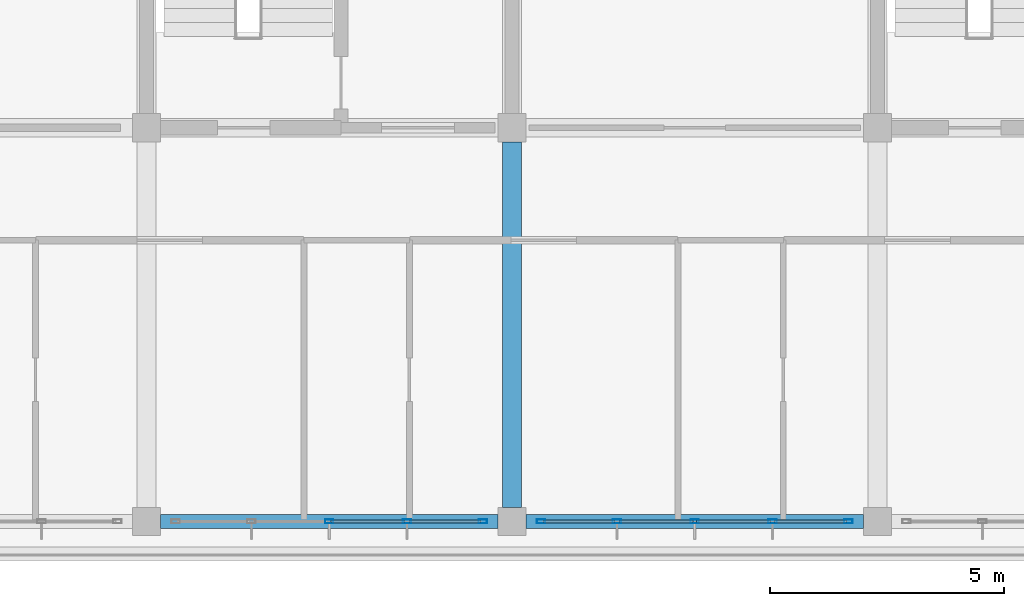
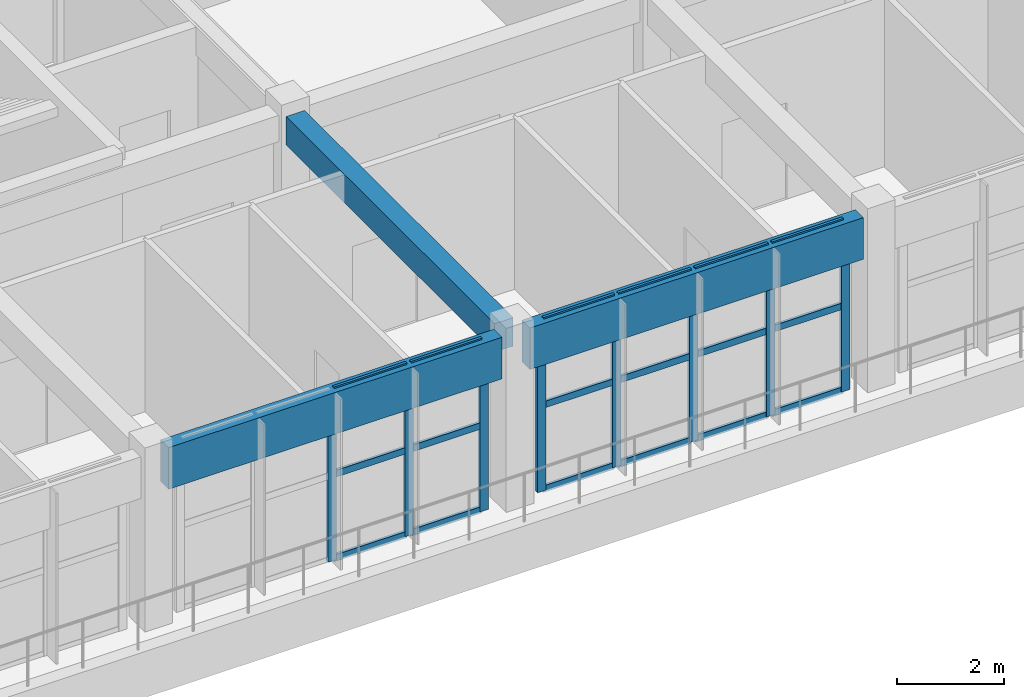
# One storey, part 11 of 56: 26 members, 3 beams, 2 elements without a shape of their own.
"""IFC4 building model written with IfcOpenShell, lengths in metres."""

from ifc_helpers import new_model, si_unit, direction, frame, origin, origin_2d, place, context, subcontext, project, spatial, rectangle, hollow_rectangle, extrude, material, layer, layer_set, material_profile, profile_set, type_object, element, aggregate, save


model = new_model("IFC4")

# Units and contexts
model_context = context("Model", 3, precision=1e-05, world=origin(), true_north=direction((0.0, 1.0)))
body_context = subcontext(model_context, "Body", "Model", "MODEL_VIEW")
ifc_project = project(units=[si_unit("LENGTHUNIT", "METRE"), si_unit("AREAUNIT", "SQUARE_METRE"), si_unit("VOLUMEUNIT", "CUBIC_METRE"), si_unit("PLANEANGLEUNIT", "RADIAN"), si_unit("MASSUNIT", "GRAM", prefix="KILO")], contexts=[model_context])

# Site, building, storey
site_placement = place(None, origin())
site = spatial("IfcSite", under=ifc_project, at=site_placement, CompositionType="ELEMENT")
building_placement = place(site_placement, origin())
building = spatial("IfcBuilding", under=site, at=building_placement, Name="Zizhar Promenade General Hospital", CompositionType="ELEMENT")
storey_placement = place(building_placement, frame((0.0, 0.0, 26.39990234375)))
storey = spatial("IfcBuildingStorey", under=building, at=storey_placement, Name="L06", CompositionType="ELEMENT", Elevation=26.39990234375)

# Beams
ifc_material_1 = material(Name="Precast concrete C40/50", Category="concrete")
ifc_material_profile_1 = material_profile(ifc_material_1, rectangle(XDim=0.300048828125, YDim=0.949951171875, at=origin_2d()))
ifc_profile_set_1 = profile_set([ifc_material_profile_1], Name="Precast concrete C40/50")
beam_type_1 = type_object("IfcBeamType", Name="BM-PC-BAND950", PredefinedType="SPANDREL", material=ifc_profile_set_1)
beam_1_placement = place(storey_placement, frame((47.10009765625, 0.0, 3.43505859375), z_axis=(1.0, 0.0, 0.0), x_axis=(0.0, 1.0, 0.0)))
element("IfcBeam", 1, at=beam_1_placement, inside=storey, type_object=beam_type_1, Name="Grid Beam X L06 (6-0)", PredefinedType="SPANDREL", context=body_context, shape_type="SweptSolid", body=[
    extrude(rectangle(XDim=0.300048828125, YDim=0.949951171875, at=origin_2d()), origin(), (0.0, 0.0, 1.0), 7.199951171875),
])
beam_2_placement = place(storey_placement, frame((54.89990234375, 0.0, 3.43505859375), z_axis=(1.0, 0.0, 0.0), x_axis=(0.0, 1.0, 0.0)))
element("IfcBeam", 2, at=beam_2_placement, inside=storey, type_object=beam_type_1, Name="Grid Beam X L06 (7-0)", PredefinedType="SPANDREL", context=body_context, shape_type="SweptSolid", body=[
    extrude(rectangle(XDim=0.300048828125, YDim=0.949951171875, at=origin_2d()), origin(), (0.0, 0.0, 1.0), 7.2001953125),
])
ifc_material_2 = material(Name="Concrete C35/45", Category="concrete")
ifc_material_profile_2 = material_profile(ifc_material_2, rectangle(XDim=0.39990234375, YDim=0.64990234375, at=origin_2d()))
ifc_profile_set_2 = profile_set([ifc_material_profile_2], Name="Concrete C35/45")
beam_type_2 = type_object("IfcBeamType", Name="BM-RC-400x650", PredefinedType="BEAM", material=ifc_profile_set_2)
beam_3_placement = place(storey_placement, frame((54.60009765625, 0.300048828125, 3.585205078125), z_axis=(0.0, 1.0, 0.0), x_axis=(-1.0, 0.0, 0.0)))
element("IfcBeam", 3, at=beam_3_placement, inside=storey, type_object=beam_type_2, Name="Grid Beam Y L06 (7-0)", PredefinedType="BEAM", context=body_context, shape_type="SweptSolid", body=[
    extrude(rectangle(XDim=0.39990234375, YDim=0.64990234375, at=origin_2d()), origin(), (0.0, 0.0, 1.0), 7.800048828125),
])

# Curtain wall, members
ifc_material_3 = material(Name="Anodised aluminium 6063-T6 and low-E glass", Category="aluminium")
ifc_layer = layer(ifc_material_3, 0.159912109375)
ifc_layer_set = layer_set([ifc_layer], Name="Anodised aluminium 6063-T6 and low-E glass")
curtain_wall_type = type_object("IfcCurtainWallType", Name="CW-WARD-RIB", PredefinedType="NOTDEFINED", material=ifc_layer_set)
curtain_wall_1_placement = place(storey_placement, origin())
curtain_wall_1 = element("IfcCurtainWall", 4, at=curtain_wall_1_placement, inside=storey, type_object=curtain_wall_type, Name="Ward Ribbon Curtain Wall L06-17-7", PredefinedType="NOTDEFINED")
ifc_material_4 = material(Name="Anodised aluminium 6063-T6", Category="aluminium")
ifc_material_profile_3 = material_profile(ifc_material_4, hollow_rectangle(XDim=0.080078125, YDim=0.179931640625, WallThickness=0.0048828125, at=origin_2d()))
ifc_profile_set_3 = profile_set([ifc_material_profile_3], Name="Anodised aluminium 6063-T6")
member_type_1 = type_object("IfcMemberType", Name="CWM-ALU-180x80", PredefinedType="MULLION", material=ifc_profile_set_3)
member_1_placement = place(storey_placement, frame((61.780029296875, 0.0, 0.0), z_axis=(0.0, 0.0, 1.0), x_axis=(0.0, -1.0, 0.0)))
member_1 = element("IfcMember", 5, at=member_1_placement, type_object=member_type_1, Name="CW-13 mullion 1", PredefinedType="MULLION", context=body_context, shape_type="SweptSolid", body=[
    extrude(hollow_rectangle(XDim=0.080078125, YDim=0.179931640625, WallThickness=0.0048828125, at=origin_2d()), origin(), (0.0, 0.0, 1.0), 3.900146484375),
])
member_2_placement = place(storey_placement, frame((60.159912109375, 0.0, 0.0), z_axis=(0.0, 0.0, 1.0), x_axis=(0.0, -1.0, 0.0)))
member_2 = element("IfcMember", 6, at=member_2_placement, type_object=member_type_1, Name="CW-13 mullion 2", PredefinedType="MULLION", context=body_context, shape_type="SweptSolid", body=[
    extrude(hollow_rectangle(XDim=0.080078125, YDim=0.179931640625, WallThickness=0.0048828125, at=origin_2d()), origin(), (0.0, 0.0, 1.0), 3.900146484375),
])
member_3_placement = place(storey_placement, frame((58.5, 0.0, 0.0), z_axis=(0.0, 0.0, 1.0), x_axis=(0.0, -1.0, 0.0)))
member_3 = element("IfcMember", 7, at=member_3_placement, type_object=member_type_1, Name="CW-13 mullion 3", PredefinedType="MULLION", context=body_context, shape_type="SweptSolid", body=[
    extrude(hollow_rectangle(XDim=0.080078125, YDim=0.179931640625, WallThickness=0.0048828125, at=origin_2d()), origin(), (0.0, 0.0, 1.0), 3.900146484375),
])
member_4_placement = place(storey_placement, frame((56.840087890625, 0.0, 0.0), z_axis=(0.0, 0.0, 1.0), x_axis=(0.0, -1.0, 0.0)))
member_4 = element("IfcMember", 8, at=member_4_placement, type_object=member_type_1, Name="CW-13 mullion 4", PredefinedType="MULLION", context=body_context, shape_type="SweptSolid", body=[
    extrude(hollow_rectangle(XDim=0.080078125, YDim=0.179931640625, WallThickness=0.0048828125, at=origin_2d()), origin(), (0.0, 0.0, 1.0), 3.900146484375),
])
member_5_placement = place(storey_placement, frame((55.219970703125, 0.0, 0.0), z_axis=(0.0, 0.0, 1.0), x_axis=(0.0, -1.0, 0.0)))
member_5 = element("IfcMember", 9, at=member_5_placement, type_object=member_type_1, Name="CW-13 mullion 5", PredefinedType="MULLION", context=body_context, shape_type="SweptSolid", body=[
    extrude(hollow_rectangle(XDim=0.080078125, YDim=0.179931640625, WallThickness=0.0048828125, at=origin_2d()), origin(), (0.0, 0.0, 1.0), 3.900146484375),
])

curtain_wall_2_placement = place(storey_placement, origin())
curtain_wall_2 = element("IfcCurtainWall", 10, at=curtain_wall_2_placement, inside=storey, type_object=curtain_wall_type, Name="Ward Ribbon Curtain Wall L06-17-8", PredefinedType="NOTDEFINED")
member_6_placement = place(storey_placement, frame((53.97998046875, 0.0, 0.0), z_axis=(0.0, 0.0, 1.0), x_axis=(0.0, -1.0, 0.0)))
member_6 = element("IfcMember", 11, at=member_6_placement, type_object=member_type_1, Name="CW-13 mullion 1", PredefinedType="MULLION", context=body_context, shape_type="SweptSolid", body=[
    extrude(hollow_rectangle(XDim=0.080078125, YDim=0.179931640625, WallThickness=0.0048828125, at=origin_2d()), origin(), (0.0, 0.0, 1.0), 3.900146484375),
])
member_7_placement = place(storey_placement, frame((52.360107421875, 0.0, 0.0), z_axis=(0.0, 0.0, 1.0), x_axis=(0.0, -1.0, 0.0)))
member_7 = element("IfcMember", 12, at=member_7_placement, type_object=member_type_1, Name="CW-13 mullion 2", PredefinedType="MULLION", context=body_context, shape_type="SweptSolid", body=[
    extrude(hollow_rectangle(XDim=0.080078125, YDim=0.179931640625, WallThickness=0.0048828125, at=origin_2d()), origin(), (0.0, 0.0, 1.0), 3.900146484375),
])
member_8_placement = place(storey_placement, frame((50.699951171875, 0.0, 0.0), z_axis=(0.0, 0.0, 1.0), x_axis=(0.0, -1.0, 0.0)))
member_8 = element("IfcMember", 13, at=member_8_placement, type_object=member_type_1, Name="CW-13 mullion 3", PredefinedType="MULLION", context=body_context, shape_type="SweptSolid", body=[
    extrude(hollow_rectangle(XDim=0.080078125, YDim=0.179931640625, WallThickness=0.0048828125, at=origin_2d()), origin(), (0.0, 0.0, 1.0), 3.900146484375),
])

# Member
ifc_material_5 = material(Name="Anodised aluminium 6063-T6", Category="aluminium")
ifc_material_profile_4 = material_profile(ifc_material_5, hollow_rectangle(XDim=0.06005859375, YDim=0.14990234375, WallThickness=0.00390625, at=origin_2d()))
ifc_profile_set_4 = profile_set([ifc_material_profile_4], Name="Anodised aluminium 6063-T6")
member_type_2 = type_object("IfcMemberType", Name="CWT-ALU-150x60", PredefinedType="USERDEFINED", material=ifc_profile_set_4)
member_9_placement = place(storey_placement, frame((61.739990234375, 0.0, 0.030029296875), z_axis=(-1.0, 0.0, 0.0), x_axis=(0.0, -1.0, 0.0)))
member_9 = element("IfcMember", 14, at=member_9_placement, type_object=member_type_2, Name="CW-13 transom 1.1", ObjectType="TRANSOM", PredefinedType="USERDEFINED", context=body_context, shape_type="SweptSolid", body=[
    extrude(hollow_rectangle(XDim=0.06005859375, YDim=0.14990234375, WallThickness=0.00390625, at=origin_2d()), origin(), (0.0, 0.0, 1.0), 1.5400390625),
])

member_10_placement = place(storey_placement, frame((61.739990234375, 0.0, 1.9501953125), z_axis=(-1.0, 0.0, 0.0), x_axis=(0.0, -1.0, 0.0)))
member_10 = element("IfcMember", 15, at=member_10_placement, type_object=member_type_2, Name="CW-13 transom 1.2", ObjectType="TRANSOM", PredefinedType="USERDEFINED", context=body_context, shape_type="SweptSolid", body=[
    extrude(hollow_rectangle(XDim=0.06005859375, YDim=0.14990234375, WallThickness=0.00390625, at=origin_2d()), origin(), (0.0, 0.0, 1.0), 1.5400390625),
])

member_11_placement = place(storey_placement, frame((61.739990234375, 0.0, 3.8701171875), z_axis=(-1.0, 0.0, 0.0), x_axis=(0.0, -1.0, 0.0)))
member_11 = element("IfcMember", 16, at=member_11_placement, type_object=member_type_2, Name="CW-13 transom 1.3", ObjectType="TRANSOM", PredefinedType="USERDEFINED", context=body_context, shape_type="SweptSolid", body=[
    extrude(hollow_rectangle(XDim=0.06005859375, YDim=0.14990234375, WallThickness=0.00390625, at=origin_2d()), origin(), (0.0, 0.0, 1.0), 1.5400390625),
])

member_12_placement = place(storey_placement, frame((60.1201171875, 0.0, 0.030029296875), z_axis=(-1.0, 0.0, 0.0), x_axis=(0.0, -1.0, 0.0)))
member_12 = element("IfcMember", 17, at=member_12_placement, type_object=member_type_2, Name="CW-13 transom 2.1", ObjectType="TRANSOM", PredefinedType="USERDEFINED", context=body_context, shape_type="SweptSolid", body=[
    extrude(hollow_rectangle(XDim=0.06005859375, YDim=0.14990234375, WallThickness=0.00390625, at=origin_2d()), origin(), (0.0, 0.0, 1.0), 1.580078125),
])

member_13_placement = place(storey_placement, frame((60.1201171875, 0.0, 1.9501953125), z_axis=(-1.0, 0.0, 0.0), x_axis=(0.0, -1.0, 0.0)))
member_13 = element("IfcMember", 18, at=member_13_placement, type_object=member_type_2, Name="CW-13 transom 2.2", ObjectType="TRANSOM", PredefinedType="USERDEFINED", context=body_context, shape_type="SweptSolid", body=[
    extrude(hollow_rectangle(XDim=0.06005859375, YDim=0.14990234375, WallThickness=0.00390625, at=origin_2d()), origin(), (0.0, 0.0, 1.0), 1.580078125),
])

member_14_placement = place(storey_placement, frame((60.1201171875, 0.0, 3.8701171875), z_axis=(-1.0, 0.0, 0.0), x_axis=(0.0, -1.0, 0.0)))
member_14 = element("IfcMember", 19, at=member_14_placement, type_object=member_type_2, Name="CW-13 transom 2.3", ObjectType="TRANSOM", PredefinedType="USERDEFINED", context=body_context, shape_type="SweptSolid", body=[
    extrude(hollow_rectangle(XDim=0.06005859375, YDim=0.14990234375, WallThickness=0.00390625, at=origin_2d()), origin(), (0.0, 0.0, 1.0), 1.580078125),
])

member_15_placement = place(storey_placement, frame((58.4599609375, 0.0, 0.030029296875), z_axis=(-1.0, 0.0, 0.0), x_axis=(0.0, -1.0, 0.0)))
member_15 = element("IfcMember", 20, at=member_15_placement, type_object=member_type_2, Name="CW-13 transom 3.1", ObjectType="TRANSOM", PredefinedType="USERDEFINED", context=body_context, shape_type="SweptSolid", body=[
    extrude(hollow_rectangle(XDim=0.06005859375, YDim=0.14990234375, WallThickness=0.00390625, at=origin_2d()), origin(), (0.0, 0.0, 1.0), 1.580078125),
])

member_16_placement = place(storey_placement, frame((58.4599609375, 0.0, 1.9501953125), z_axis=(-1.0, 0.0, 0.0), x_axis=(0.0, -1.0, 0.0)))
member_16 = element("IfcMember", 21, at=member_16_placement, type_object=member_type_2, Name="CW-13 transom 3.2", ObjectType="TRANSOM", PredefinedType="USERDEFINED", context=body_context, shape_type="SweptSolid", body=[
    extrude(hollow_rectangle(XDim=0.06005859375, YDim=0.14990234375, WallThickness=0.00390625, at=origin_2d()), origin(), (0.0, 0.0, 1.0), 1.580078125),
])

member_17_placement = place(storey_placement, frame((58.4599609375, 0.0, 3.8701171875), z_axis=(-1.0, 0.0, 0.0), x_axis=(0.0, -1.0, 0.0)))
member_17 = element("IfcMember", 22, at=member_17_placement, type_object=member_type_2, Name="CW-13 transom 3.3", ObjectType="TRANSOM", PredefinedType="USERDEFINED", context=body_context, shape_type="SweptSolid", body=[
    extrude(hollow_rectangle(XDim=0.06005859375, YDim=0.14990234375, WallThickness=0.00390625, at=origin_2d()), origin(), (0.0, 0.0, 1.0), 1.580078125),
])

member_18_placement = place(storey_placement, frame((56.800048828125, 0.0, 0.030029296875), z_axis=(-1.0, 0.0, 0.0), x_axis=(0.0, -1.0, 0.0)))
member_18 = element("IfcMember", 23, at=member_18_placement, type_object=member_type_2, Name="CW-13 transom 4.1", ObjectType="TRANSOM", PredefinedType="USERDEFINED", context=body_context, shape_type="SweptSolid", body=[
    extrude(hollow_rectangle(XDim=0.06005859375, YDim=0.14990234375, WallThickness=0.00390625, at=origin_2d()), origin(), (0.0, 0.0, 1.0), 1.5400390625),
])

member_19_placement = place(storey_placement, frame((56.800048828125, 0.0, 1.9501953125), z_axis=(-1.0, 0.0, 0.0), x_axis=(0.0, -1.0, 0.0)))
member_19 = element("IfcMember", 24, at=member_19_placement, type_object=member_type_2, Name="CW-13 transom 4.2", ObjectType="TRANSOM", PredefinedType="USERDEFINED", context=body_context, shape_type="SweptSolid", body=[
    extrude(hollow_rectangle(XDim=0.06005859375, YDim=0.14990234375, WallThickness=0.00390625, at=origin_2d()), origin(), (0.0, 0.0, 1.0), 1.5400390625),
])

member_20_placement = place(storey_placement, frame((56.800048828125, 0.0, 3.8701171875), z_axis=(-1.0, 0.0, 0.0), x_axis=(0.0, -1.0, 0.0)))
member_20 = element("IfcMember", 25, at=member_20_placement, type_object=member_type_2, Name="CW-13 transom 4.3", ObjectType="TRANSOM", PredefinedType="USERDEFINED", context=body_context, shape_type="SweptSolid", body=[
    extrude(hollow_rectangle(XDim=0.06005859375, YDim=0.14990234375, WallThickness=0.00390625, at=origin_2d()), origin(), (0.0, 0.0, 1.0), 1.5400390625),
])

aggregate(curtain_wall_1, [member_1, member_2, member_3, member_4, member_5, member_9, member_10, member_11, member_12, member_13, member_14, member_15, member_16, member_17, member_18, member_19, member_20])

member_21_placement = place(storey_placement, frame((53.93994140625, 0.0, 0.030029296875), z_axis=(-1.0, 0.0, 0.0), x_axis=(0.0, -1.0, 0.0)))
member_21 = element("IfcMember", 26, at=member_21_placement, type_object=member_type_2, Name="CW-13 transom 1.1", ObjectType="TRANSOM", PredefinedType="USERDEFINED", context=body_context, shape_type="SweptSolid", body=[
    extrude(hollow_rectangle(XDim=0.06005859375, YDim=0.14990234375, WallThickness=0.00390625, at=origin_2d()), origin(), (0.0, 0.0, 1.0), 1.5400390625),
])

member_22_placement = place(storey_placement, frame((53.93994140625, 0.0, 1.9501953125), z_axis=(-1.0, 0.0, 0.0), x_axis=(0.0, -1.0, 0.0)))
member_22 = element("IfcMember", 27, at=member_22_placement, type_object=member_type_2, Name="CW-13 transom 1.2", ObjectType="TRANSOM", PredefinedType="USERDEFINED", context=body_context, shape_type="SweptSolid", body=[
    extrude(hollow_rectangle(XDim=0.06005859375, YDim=0.14990234375, WallThickness=0.00390625, at=origin_2d()), origin(), (0.0, 0.0, 1.0), 1.5400390625),
])

member_23_placement = place(storey_placement, frame((53.93994140625, 0.0, 3.8701171875), z_axis=(-1.0, 0.0, 0.0), x_axis=(0.0, -1.0, 0.0)))
member_23 = element("IfcMember", 28, at=member_23_placement, type_object=member_type_2, Name="CW-13 transom 1.3", ObjectType="TRANSOM", PredefinedType="USERDEFINED", context=body_context, shape_type="SweptSolid", body=[
    extrude(hollow_rectangle(XDim=0.06005859375, YDim=0.14990234375, WallThickness=0.00390625, at=origin_2d()), origin(), (0.0, 0.0, 1.0), 1.5400390625),
])

member_24_placement = place(storey_placement, frame((52.320068359375, 0.0, 0.030029296875), z_axis=(-1.0, 0.0, 0.0), x_axis=(0.0, -1.0, 0.0)))
member_24 = element("IfcMember", 29, at=member_24_placement, type_object=member_type_2, Name="CW-13 transom 2.1", ObjectType="TRANSOM", PredefinedType="USERDEFINED", context=body_context, shape_type="SweptSolid", body=[
    extrude(hollow_rectangle(XDim=0.06005859375, YDim=0.14990234375, WallThickness=0.00390625, at=origin_2d()), origin(), (0.0, 0.0, 1.0), 1.580078125),
])

member_25_placement = place(storey_placement, frame((52.320068359375, 0.0, 1.9501953125), z_axis=(-1.0, 0.0, 0.0), x_axis=(0.0, -1.0, 0.0)))
member_25 = element("IfcMember", 30, at=member_25_placement, type_object=member_type_2, Name="CW-13 transom 2.2", ObjectType="TRANSOM", PredefinedType="USERDEFINED", context=body_context, shape_type="SweptSolid", body=[
    extrude(hollow_rectangle(XDim=0.06005859375, YDim=0.14990234375, WallThickness=0.00390625, at=origin_2d()), origin(), (0.0, 0.0, 1.0), 1.580078125),
])

member_26_placement = place(storey_placement, frame((52.320068359375, 0.0, 3.8701171875), z_axis=(-1.0, 0.0, 0.0), x_axis=(0.0, -1.0, 0.0)))
member_26 = element("IfcMember", 31, at=member_26_placement, type_object=member_type_2, Name="CW-13 transom 2.3", ObjectType="TRANSOM", PredefinedType="USERDEFINED", context=body_context, shape_type="SweptSolid", body=[
    extrude(hollow_rectangle(XDim=0.06005859375, YDim=0.14990234375, WallThickness=0.00390625, at=origin_2d()), origin(), (0.0, 0.0, 1.0), 1.580078125),
])

aggregate(curtain_wall_2, [member_6, member_7, member_8, member_21, member_22, member_23, member_24, member_25, member_26])

save(model, "model.ifc")
